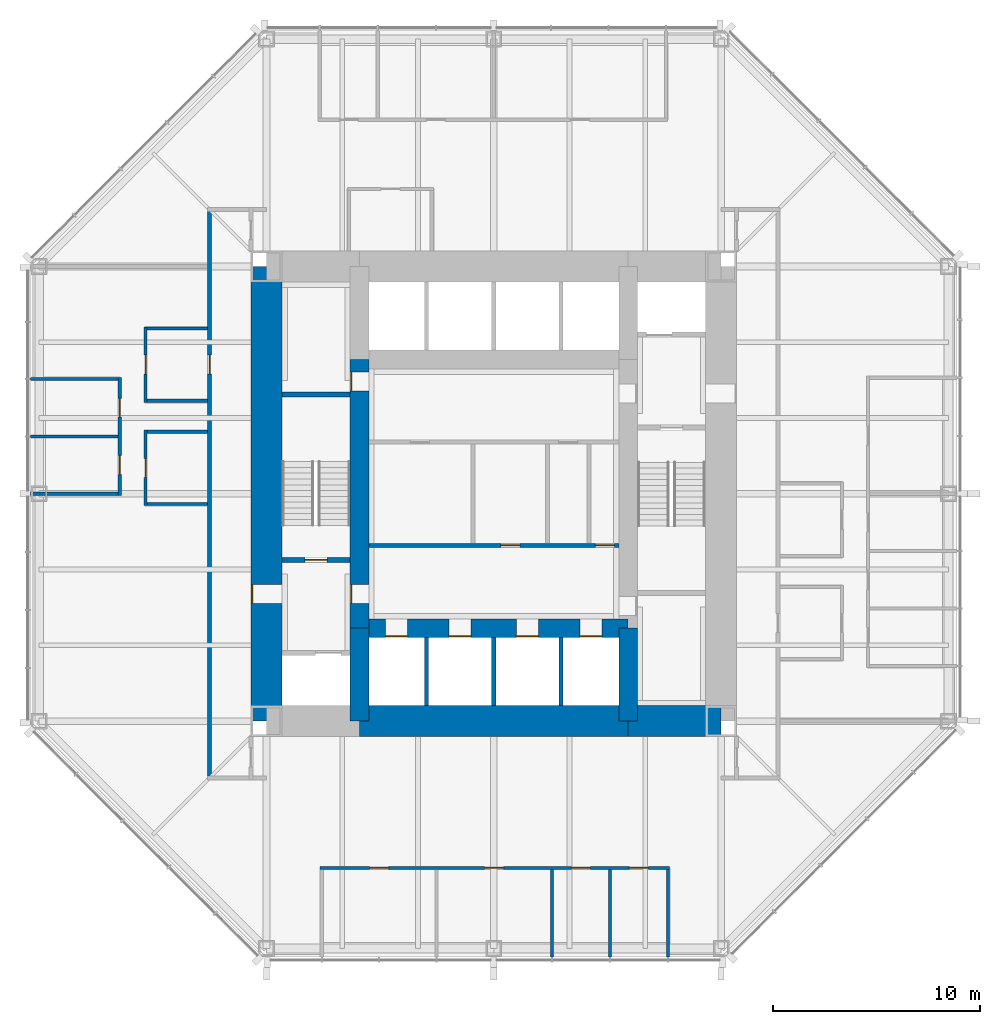
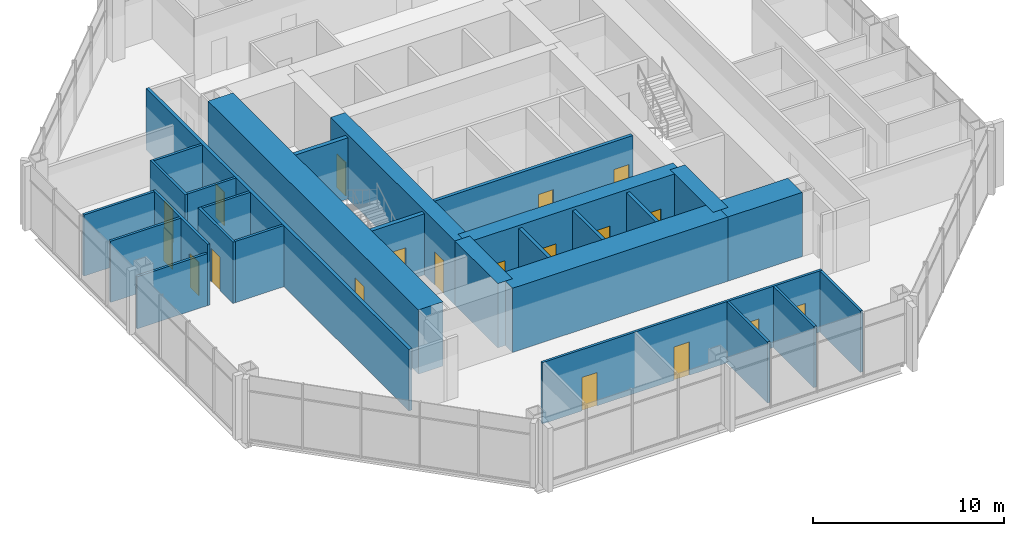
# One storey, part 9 of 12: 28 walls, 19 doors, 19 openings.
"""IFC4 building model written with IfcOpenShell, lengths in metres."""

from ifc_helpers import new_model, si_unit, direction, frame, frame_2d, origin, place, context, subcontext, project, spatial, rectangle, extrude, material, layer, layer_set, type_object, element, fill, save


model = new_model("IFC4")

# Units and contexts
model_context = context("Model", 3, precision=1e-05, world=origin(), true_north=direction((0.0, 1.0)))
body_context = subcontext(model_context, "Body", "Model", "MODEL_VIEW")
ifc_project = project(units=[si_unit("LENGTHUNIT", "METRE"), si_unit("AREAUNIT", "SQUARE_METRE"), si_unit("VOLUMEUNIT", "CUBIC_METRE"), si_unit("PLANEANGLEUNIT", "RADIAN"), si_unit("MASSUNIT", "GRAM", prefix="KILO")], contexts=[model_context])

# Site, building, storey
site_placement = place(None, origin())
site = spatial("IfcSite", under=ifc_project, at=site_placement, CompositionType="ELEMENT")
building_placement = place(site_placement, origin())
building = spatial("IfcBuilding", under=site, at=building_placement, Name="Trevanion Tower", CompositionType="ELEMENT")
storey_placement = place(building_placement, frame((0.0, 0.0, 137.699951171875)))
storey = spatial("IfcBuildingStorey", under=building, at=storey_placement, Name="L32", CompositionType="ELEMENT", Elevation=137.699951171875)

# Wall, opening, door
ifc_material_1 = material(Name="Concrete 10,000 psi", Category="concrete")
ifc_layer_1 = layer(ifc_material_1, 1.5)
ifc_layer_set_1 = layer_set([ifc_layer_1], Name="CW1 core wall 1500")
wall_type_1 = type_object("IfcWallType", Name="CW1 core wall 1500", PredefinedType="SHEAR", material=ifc_layer_set_1)
wall_1_placement = place(storey_placement, frame((-11.0, 11.0, 0.0), z_axis=(0.0, 0.0, 1.0), x_axis=(0.0, -1.0, 0.0)))
wall_1 = element("IfcWall", 1, at=wall_1_placement, inside=storey, type_object=wall_type_1, Name="CW1 CW L32", PredefinedType="SHEAR", context=body_context, shape_type="SweptSolid", body=[
    extrude(rectangle(XDim=22.0, YDim=1.5, at=frame_2d((11.0, 0.0))), origin(), (0.0, 0.0, 1.0), 4.10009765625),
])
opening_1_placement = place(wall_1_placement, frame((15.392578125, 0.0, 0.0)))
opening_1 = element("IfcOpeningElement", 2, at=opening_1_placement, cuts=wall_1, Name="Opening 32-002", PredefinedType="OPENING", context=body_context, shape_type="SweptSolid", body=[
    extrude(rectangle(XDim=0.9150390625, YDim=2.134033203125, at=frame_2d((0.45751953125, 1.06689453125))), frame((0.0, 0.760009765625, 0.0), z_axis=(0.0, -1.0, 0.0), x_axis=(1.0, 0.0, 0.0)), (0.0, 0.0, 1.0), 1.52001953125),
])
ifc_material_2 = material(Name="Hollow metal, fire rated", Category="steel")
door_type_1 = type_object("IfcDoorType", Name="D3 fire lift lobby door", OperationType="SINGLE_SWING_RIGHT", PredefinedType="DOOR", material=ifc_material_2)
door_1_placement = place(opening_1_placement, origin())
door_1 = element("IfcDoor", 3, at=door_1_placement, inside=storey, type_object=door_type_1, Name="Door 32-002", OperationType="SINGLE_SWING_RIGHT", OverallHeight=2.134033203125, OverallWidth=0.9150390625, PredefinedType="DOOR", context=body_context, shape_type="SweptSolid", body=[
    extrude(rectangle(XDim=0.9150390625, YDim=2.134033203125, at=frame_2d((0.45751953125, 1.06689453125))), frame((0.0, -0.6748046875, 0.0), z_axis=(0.0, -1.0, 0.0), x_axis=(1.0, 0.0, 0.0)), (0.0, 0.0, 1.0), 0.050048828125),
])
fill(opening_1, door_1)

# Walls
wall_2_placement = place(storey_placement, frame((-6.5, -11.0, 0.0), z_axis=(0.0, 0.0, 1.0), x_axis=(1.0, 0.0, 0.0)))
element("IfcWall", 4, at=wall_2_placement, inside=storey, type_object=wall_type_1, Name="CW1 CS2 L32", PredefinedType="SHEAR", context=body_context, shape_type="SweptSolid", body=[
    extrude(rectangle(XDim=13.0, YDim=1.5, at=frame_2d((6.5, 0.0))), origin(), (0.0, 0.0, 1.0), 4.10009765625),
])
wall_3_placement = place(storey_placement, frame((6.5, -11.0, 0.0), z_axis=(0.0, 0.0, 1.0), x_axis=(1.0, 0.0, 0.0)))
element("IfcWall", 5, at=wall_3_placement, inside=storey, type_object=wall_type_1, Name="CW1 CS3 L32", PredefinedType="SHEAR", context=body_context, shape_type="SweptSolid", body=[
    extrude(rectangle(XDim=4.5, YDim=1.5, at=frame_2d((2.25, 0.0))), origin(), (0.0, 0.0, 1.0), 4.10009765625),
])
ifc_material_3 = material(Name="Concrete 10,000 psi", Category="concrete")
ifc_layer_2 = layer(ifc_material_3, 0.89990234375)
ifc_layer_set_2 = layer_set([ifc_layer_2], Name="CW2 core wall 900")
wall_type_2 = type_object("IfcWallType", Name="CW2 core wall 900", PredefinedType="SHEAR", material=ifc_layer_set_2)
wall_4_placement = place(storey_placement, frame((6.5, -11.0, 0.0), z_axis=(0.0, 0.0, 1.0), x_axis=(0.0, 1.0, 0.0)))
element("IfcWall", 6, at=wall_4_placement, inside=storey, type_object=wall_type_2, Name="CW2 RE1 L32", PredefinedType="SHEAR", context=body_context, shape_type="SweptSolid", body=[
    extrude(rectangle(XDim=4.5, YDim=0.89990234375, at=frame_2d((2.25, 0.0))), origin(), (0.0, 0.0, 1.0), 4.10009765625),
])

# Wall, openings, doors
wall_5_placement = place(storey_placement, frame((-6.5, 6.5, 0.0), z_axis=(0.0, 0.0, 1.0), x_axis=(0.0, -1.0, 0.0)))
wall_5 = element("IfcWall", 7, at=wall_5_placement, inside=storey, type_object=wall_type_2, Name="CW2 RW2 L32", PredefinedType="SHEAR", context=body_context, shape_type="SweptSolid", body=[
    extrude(rectangle(XDim=13.0, YDim=0.89990234375, at=frame_2d((6.5, 0.0))), origin(), (0.0, 0.0, 1.0), 4.10009765625),
])
opening_2_placement = place(wall_5_placement, frame((10.892578125, 0.0, 0.0)))
opening_2 = element("IfcOpeningElement", 8, at=opening_2_placement, cuts=wall_5, Name="Opening 32-004", PredefinedType="OPENING", context=body_context, shape_type="SweptSolid", body=[
    extrude(rectangle(XDim=0.9150390625, YDim=2.134033203125, at=frame_2d((0.45751953125, 1.06689453125))), frame((0.0, 0.4599609375, 0.0), z_axis=(0.0, -1.0, 0.0), x_axis=(1.0, 0.0, 0.0)), (0.0, 0.0, 1.0), 0.919921875),
])
opening_3_placement = place(wall_5_placement, frame((0.610107421875, 0.0, 0.0)))
opening_3 = element("IfcOpeningElement", 9, at=opening_3_placement, cuts=wall_5, Name="Opening 32-010", PredefinedType="OPENING", context=body_context, shape_type="SweptSolid", body=[
    extrude(rectangle(XDim=0.9150390625, YDim=2.134033203125, at=frame_2d((0.45751953125, 1.06689453125))), frame((0.0, 0.4599609375, 0.0), z_axis=(0.0, -1.0, 0.0), x_axis=(1.0, 0.0, 0.0)), (0.0, 0.0, 1.0), 0.919921875),
])
door_2_placement = place(opening_2_placement, origin())
door_2 = element("IfcDoor", 10, at=door_2_placement, inside=storey, type_object=door_type_1, Name="Door 32-004", OperationType="SINGLE_SWING_RIGHT", OverallHeight=2.134033203125, OverallWidth=0.9150390625, PredefinedType="DOOR", context=body_context, shape_type="SweptSolid", body=[
    extrude(rectangle(XDim=0.9150390625, YDim=2.134033203125, at=frame_2d((0.45751953125, 1.06689453125))), frame((0.0, -0.375, 0.0), z_axis=(0.0, -1.0, 0.0), x_axis=(1.0, 0.0, 0.0)), (0.0, 0.0, 1.0), 0.050048828125),
])
fill(opening_2, door_2)
ifc_material_4 = material(Name="Hollow metal, fire rated", Category="steel")
door_type_2 = type_object("IfcDoorType", Name="D5 service room door", OperationType="SINGLE_SWING_RIGHT", PredefinedType="DOOR", material=ifc_material_4)
door_3_placement = place(opening_3_placement, origin())
door_3 = element("IfcDoor", 11, at=door_3_placement, inside=storey, type_object=door_type_2, Name="Door 32-010", OperationType="SINGLE_SWING_RIGHT", OverallHeight=2.134033203125, OverallWidth=0.9150390625, PredefinedType="DOOR", context=body_context, shape_type="SweptSolid", body=[
    extrude(rectangle(XDim=0.9150390625, YDim=2.134033203125, at=frame_2d((0.45751953125, 1.06689453125))), frame((0.0, -0.375, 0.0), z_axis=(0.0, -1.0, 0.0), x_axis=(1.0, 0.0, 0.0)), (0.0, 0.0, 1.0), 0.050048828125),
])
fill(opening_3, door_3)

# Wall
wall_6_placement = place(storey_placement, frame((-6.5, -6.5, 0.0), z_axis=(0.0, 0.0, 1.0), x_axis=(0.0, -1.0, 0.0)))
element("IfcWall", 12, at=wall_6_placement, inside=storey, type_object=wall_type_2, Name="CW2 RW3 L32", PredefinedType="SHEAR", context=body_context, shape_type="SweptSolid", body=[
    extrude(rectangle(XDim=4.5, YDim=0.89990234375, at=frame_2d((2.25, 0.0))), origin(), (0.0, 0.0, 1.0), 4.10009765625),
])

# Wall, openings, doors
wall_7_placement = place(storey_placement, frame((-6.5, -6.5, 0.0), z_axis=(0.0, 0.0, 1.0), x_axis=(1.0, 0.0, 0.0)))
wall_7 = element("IfcWall", 13, at=wall_7_placement, inside=storey, type_object=wall_type_2, Name="CW2 RS L32", PredefinedType="SHEAR", context=body_context, shape_type="SweptSolid", body=[
    extrude(rectangle(XDim=13.0, YDim=0.89990234375, at=frame_2d((6.5, 0.0))), origin(), (0.0, 0.0, 1.0), 4.10009765625),
])
opening_4_placement = place(wall_7_placement, frame((1.2666015625, 0.0, 0.0)))
opening_4 = element("IfcOpeningElement", 14, at=opening_4_placement, cuts=wall_7, Name="Opening 32-011", PredefinedType="OPENING", context=body_context, shape_type="SweptSolid", body=[
    extrude(rectangle(XDim=1.06689453125, YDim=2.134033203125, at=frame_2d((0.533447265625, 1.06689453125))), frame((0.0, 0.4599609375, 0.0), z_axis=(0.0, -1.0, 0.0), x_axis=(1.0, 0.0, 0.0)), (0.0, 0.0, 1.0), 0.919921875),
])
opening_5_placement = place(wall_7_placement, frame((4.341552734375, 0.0, 0.0)))
opening_5 = element("IfcOpeningElement", 15, at=opening_5_placement, cuts=wall_7, Name="Opening 32-012", PredefinedType="OPENING", context=body_context, shape_type="SweptSolid", body=[
    extrude(rectangle(XDim=1.06689453125, YDim=2.134033203125, at=frame_2d((0.533447265625, 1.06689453125))), frame((0.0, 0.4599609375, 0.0), z_axis=(0.0, -1.0, 0.0), x_axis=(1.0, 0.0, 0.0)), (0.0, 0.0, 1.0), 0.919921875),
])
opening_6_placement = place(wall_7_placement, frame((7.591552734375, 0.0, 0.0)))
opening_6 = element("IfcOpeningElement", 16, at=opening_6_placement, cuts=wall_7, Name="Opening 32-013", PredefinedType="OPENING", context=body_context, shape_type="SweptSolid", body=[
    extrude(rectangle(XDim=1.06689453125, YDim=2.134033203125, at=frame_2d((0.533447265625, 1.06689453125))), frame((0.0, 0.4599609375, 0.0), z_axis=(0.0, -1.0, 0.0), x_axis=(1.0, 0.0, 0.0)), (0.0, 0.0, 1.0), 0.919921875),
])
opening_7_placement = place(wall_7_placement, frame((10.66650390625, 0.0, 0.0)))
opening_7 = element("IfcOpeningElement", 17, at=opening_7_placement, cuts=wall_7, Name="Opening 32-014", PredefinedType="OPENING", context=body_context, shape_type="SweptSolid", body=[
    extrude(rectangle(XDim=1.06689453125, YDim=2.134033203125, at=frame_2d((0.533447265625, 1.06689453125))), frame((0.0, 0.4599609375, 0.0), z_axis=(0.0, -1.0, 0.0), x_axis=(1.0, 0.0, 0.0)), (0.0, 0.0, 1.0), 0.919921875),
])
ifc_material_5 = material(Name="Stainless steel, fire rated", Category="steel")
door_type_3 = type_object("IfcDoorType", Name="LD1 lift landing door", OperationType="SLIDING_TO_LEFT", PredefinedType="DOOR", material=ifc_material_5)
door_4_placement = place(opening_4_placement, origin())
door_4 = element("IfcDoor", 18, at=door_4_placement, inside=storey, type_object=door_type_3, Name="Door 32-011", OperationType="SLIDING_TO_LEFT", OverallHeight=2.134033203125, OverallWidth=1.06689453125, PredefinedType="DOOR", context=body_context, shape_type="SweptSolid", body=[
    extrude(rectangle(XDim=1.06689453125, YDim=2.134033203125, at=frame_2d((0.533447265625, 1.06689453125))), frame((0.0, -0.375, 0.0), z_axis=(0.0, -1.0, 0.0), x_axis=(1.0, 0.0, 0.0)), (0.0, 0.0, 1.0), 0.050048828125),
])
fill(opening_4, door_4)
door_5_placement = place(opening_5_placement, origin())
door_5 = element("IfcDoor", 19, at=door_5_placement, inside=storey, type_object=door_type_3, Name="Door 32-012", OperationType="SLIDING_TO_LEFT", OverallHeight=2.134033203125, OverallWidth=1.06689453125, PredefinedType="DOOR", context=body_context, shape_type="SweptSolid", body=[
    extrude(rectangle(XDim=1.06689453125, YDim=2.134033203125, at=frame_2d((0.533447265625, 1.06689453125))), frame((0.0, -0.375, 0.0), z_axis=(0.0, -1.0, 0.0), x_axis=(1.0, 0.0, 0.0)), (0.0, 0.0, 1.0), 0.050048828125),
])
fill(opening_5, door_5)
door_6_placement = place(opening_6_placement, origin())
door_6 = element("IfcDoor", 20, at=door_6_placement, inside=storey, type_object=door_type_3, Name="Door 32-013", OperationType="SLIDING_TO_LEFT", OverallHeight=2.134033203125, OverallWidth=1.06689453125, PredefinedType="DOOR", context=body_context, shape_type="SweptSolid", body=[
    extrude(rectangle(XDim=1.06689453125, YDim=2.134033203125, at=frame_2d((0.533447265625, 1.06689453125))), frame((0.0, -0.375, 0.0), z_axis=(0.0, -1.0, 0.0), x_axis=(1.0, 0.0, 0.0)), (0.0, 0.0, 1.0), 0.050048828125),
])
fill(opening_6, door_6)
door_7_placement = place(opening_7_placement, origin())
door_7 = element("IfcDoor", 21, at=door_7_placement, inside=storey, type_object=door_type_3, Name="Door 32-014", OperationType="SLIDING_TO_LEFT", OverallHeight=2.134033203125, OverallWidth=1.06689453125, PredefinedType="DOOR", context=body_context, shape_type="SweptSolid", body=[
    extrude(rectangle(XDim=1.06689453125, YDim=2.134033203125, at=frame_2d((0.533447265625, 1.06689453125))), frame((0.0, -0.375, 0.0), z_axis=(0.0, -1.0, 0.0), x_axis=(1.0, 0.0, 0.0)), (0.0, 0.0, 1.0), 0.050048828125),
])
fill(opening_7, door_7)

ifc_material_6 = material(Name="Gypsum board on steel studs", Category="steel")
ifc_layer_3 = layer(ifc_material_6, 0.14990234375)
ifc_layer_set_3 = layer_set([ifc_layer_3], Name="PT1 partition 150")
wall_type_3 = type_object("IfcWallType", Name="PT1 partition 150", PredefinedType="PARTITIONING", material=ifc_layer_set_3)
wall_8_placement = place(storey_placement, frame((-8.39794921875, -18.10009765625, 0.0), z_axis=(0.0, 0.0, 1.0), x_axis=(1.0, 0.0, 0.0)))
wall_8 = element("IfcWall", 22, at=wall_8_placement, inside=storey, type_object=wall_type_3, Name="PT1 L32 FC3F", PredefinedType="PARTITIONING", context=body_context, shape_type="SweptSolid", body=[
    extrude(rectangle(XDim=16.89404296875, YDim=0.14990234375, at=frame_2d((8.447021484375, 0.0))), origin(), (0.0, 0.0, 1.0), 3.91015625),
])
opening_8_placement = place(wall_8_placement, frame((2.3916015625, 0.0, 0.0)))
opening_8 = element("IfcOpeningElement", 23, at=opening_8_placement, cuts=wall_8, Name="Opening 32-026", PredefinedType="OPENING", context=body_context, shape_type="SweptSolid", body=[
    extrude(rectangle(XDim=0.9150390625, YDim=2.134033203125, at=frame_2d((0.45751953125, 1.06689453125))), frame((0.0, 0.0849609375, 0.0), z_axis=(0.0, -1.0, 0.0), x_axis=(1.0, 0.0, 0.0)), (0.0, 0.0, 1.0), 0.169921875),
])
opening_9_placement = place(wall_8_placement, frame((7.95654296875, 0.0, 0.0)))
opening_9 = element("IfcOpeningElement", 24, at=opening_9_placement, cuts=wall_8, Name="Opening 32-027", PredefinedType="OPENING", context=body_context, shape_type="SweptSolid", body=[
    extrude(rectangle(XDim=0.9150390625, YDim=2.134033203125, at=frame_2d((0.45751953125, 1.06689453125))), frame((0.0, 0.0849609375, 0.0), z_axis=(0.0, -1.0, 0.0), x_axis=(1.0, 0.0, 0.0)), (0.0, 0.0, 1.0), 0.169921875),
])
opening_10_placement = place(wall_8_placement, frame((12.15087890625, 0.0, 0.0)))
opening_10 = element("IfcOpeningElement", 25, at=opening_10_placement, cuts=wall_8, Name="Opening 32-028", PredefinedType="OPENING", context=body_context, shape_type="SweptSolid", body=[
    extrude(rectangle(XDim=0.9150390625, YDim=2.134033203125, at=frame_2d((0.45751953125, 1.06689453125))), frame((0.0, 0.0849609375, 0.0), z_axis=(0.0, -1.0, 0.0), x_axis=(1.0, 0.0, 0.0)), (0.0, 0.0, 1.0), 0.169921875),
])
opening_11_placement = place(wall_8_placement, frame((14.9580078125, 0.0, 0.0)))
opening_11 = element("IfcOpeningElement", 26, at=opening_11_placement, cuts=wall_8, Name="Opening 32-029", PredefinedType="OPENING", context=body_context, shape_type="SweptSolid", body=[
    extrude(rectangle(XDim=0.9150390625, YDim=2.134033203125, at=frame_2d((0.45751953125, 1.06689453125))), frame((0.0, 0.0849609375, 0.0), z_axis=(0.0, -1.0, 0.0), x_axis=(1.0, 0.0, 0.0)), (0.0, 0.0, 1.0), 0.169921875),
])
ifc_material_7 = material(Name="Timber veneer, solid core", Category="wood")
door_type_4 = type_object("IfcDoorType", Name="D1 office and meeting room door", OperationType="SINGLE_SWING_LEFT", PredefinedType="DOOR", material=ifc_material_7)
door_8_placement = place(opening_8_placement, origin())
door_8 = element("IfcDoor", 27, at=door_8_placement, inside=storey, type_object=door_type_4, Name="Door 32-026", OperationType="SINGLE_SWING_LEFT", OverallHeight=2.134033203125, OverallWidth=0.9150390625, PredefinedType="DOOR", context=body_context, shape_type="SweptSolid", body=[
    extrude(rectangle(XDim=0.9150390625, YDim=2.134033203125, at=frame_2d((0.45751953125, 1.06689453125))), frame((0.0, 0.02490234375, 0.0), z_axis=(0.0, -1.0, 0.0), x_axis=(1.0, 0.0, 0.0)), (0.0, 0.0, 1.0), 0.050048828125),
])
fill(opening_8, door_8)
door_9_placement = place(opening_9_placement, origin())
door_9 = element("IfcDoor", 28, at=door_9_placement, inside=storey, type_object=door_type_4, Name="Door 32-027", OperationType="SINGLE_SWING_LEFT", OverallHeight=2.134033203125, OverallWidth=0.9150390625, PredefinedType="DOOR", context=body_context, shape_type="SweptSolid", body=[
    extrude(rectangle(XDim=0.9150390625, YDim=2.134033203125, at=frame_2d((0.45751953125, 1.06689453125))), frame((0.0, 0.02490234375, 0.0), z_axis=(0.0, -1.0, 0.0), x_axis=(1.0, 0.0, 0.0)), (0.0, 0.0, 1.0), 0.050048828125),
])
fill(opening_9, door_9)
door_10_placement = place(opening_10_placement, origin())
door_10 = element("IfcDoor", 29, at=door_10_placement, inside=storey, type_object=door_type_4, Name="Door 32-028", OperationType="SINGLE_SWING_LEFT", OverallHeight=2.134033203125, OverallWidth=0.9150390625, PredefinedType="DOOR", context=body_context, shape_type="SweptSolid", body=[
    extrude(rectangle(XDim=0.9150390625, YDim=2.134033203125, at=frame_2d((0.45751953125, 1.06689453125))), frame((0.0, 0.02490234375, 0.0), z_axis=(0.0, -1.0, 0.0), x_axis=(1.0, 0.0, 0.0)), (0.0, 0.0, 1.0), 0.050048828125),
])
fill(opening_10, door_10)
door_11_placement = place(opening_11_placement, origin())
door_11 = element("IfcDoor", 30, at=door_11_placement, inside=storey, type_object=door_type_4, Name="Door 32-029", OperationType="SINGLE_SWING_LEFT", OverallHeight=2.134033203125, OverallWidth=0.9150390625, PredefinedType="DOOR", context=body_context, shape_type="SweptSolid", body=[
    extrude(rectangle(XDim=0.9150390625, YDim=2.134033203125, at=frame_2d((0.45751953125, 1.06689453125))), frame((0.0, 0.02490234375, 0.0), z_axis=(0.0, -1.0, 0.0), x_axis=(1.0, 0.0, 0.0)), (0.0, 0.0, 1.0), 0.050048828125),
])
fill(opening_11, door_11)

# Walls
for number, where, z_axis, x_axis, name in (
    (31, (2.806884765625, -18.175048828125, 0.0), (0.0, 0.0, 1.0), (0.0, -1.0, 0.0), "PT1 L32 FC3S4"),
    (32, (5.614013671875, -18.175048828125, 0.0), (0.0, 0.0, 1.0), (0.0, -1.0, 0.0), "PT1 L32 FC3S5"),
    (33, (8.4208984375, -18.175048828125, 0.0), (0.0, 0.0, 1.0), (0.0, -1.0, 0.0), "PT1 L32 FC3S6"),
):
    element("IfcWall", number, at=place(storey_placement, frame(where, z_axis=z_axis, x_axis=x_axis)), inside=storey, type_object=wall_type_3, Name=name, PredefinedType="PARTITIONING", context=body_context, shape_type="SweptSolid", body=[
        extrude(rectangle(XDim=4.239990234375, YDim=0.14990234375, at=frame_2d((2.1201171875, 0.0))), origin(), (0.0, 0.0, 1.0), 3.91015625),
    ])

# Wall, openings, doors
wall_9_placement = place(storey_placement, frame((-18.10009765625, 5.6240234375, 0.0), z_axis=(0.0, 0.0, 1.0), x_axis=(0.0, -1.0, 0.0)))
wall_9 = element("IfcWall", 34, at=wall_9_placement, inside=storey, type_object=wall_type_3, Name="PT1 L32 FC2F", PredefinedType="PARTITIONING", context=body_context, shape_type="SweptSolid", body=[
    extrude(rectangle(XDim=5.698974609375, YDim=0.14990234375, at=frame_2d((2.849609375, 0.0))), origin(), (0.0, 0.0, 1.0), 3.91015625),
])
opening_12_placement = place(wall_9_placement, frame((1.00439453125, 0.0, 0.0)))
opening_12 = element("IfcOpeningElement", 35, at=opening_12_placement, cuts=wall_9, Name="Opening 32-034", PredefinedType="OPENING", context=body_context, shape_type="SweptSolid", body=[
    extrude(rectangle(XDim=0.9150390625, YDim=2.134033203125, at=frame_2d((0.45751953125, 1.06689453125))), frame((0.0, 0.0849609375, 0.0), z_axis=(0.0, -1.0, 0.0), x_axis=(1.0, 0.0, 0.0)), (0.0, 0.0, 1.0), 0.169921875),
])
opening_13_placement = place(wall_9_placement, frame((3.779052734375, 0.0, 0.0)))
opening_13 = element("IfcOpeningElement", 36, at=opening_13_placement, cuts=wall_9, Name="Opening 32-035", PredefinedType="OPENING", context=body_context, shape_type="SweptSolid", body=[
    extrude(rectangle(XDim=0.9150390625, YDim=2.134033203125, at=frame_2d((0.45751953125, 1.06689453125))), frame((0.0, 0.0849609375, 0.0), z_axis=(0.0, -1.0, 0.0), x_axis=(1.0, 0.0, 0.0)), (0.0, 0.0, 1.0), 0.169921875),
])
door_12_placement = place(opening_12_placement, origin())
door_12 = element("IfcDoor", 37, at=door_12_placement, inside=storey, type_object=door_type_4, Name="Door 32-034", OperationType="SINGLE_SWING_LEFT", OverallHeight=2.134033203125, OverallWidth=0.9150390625, PredefinedType="DOOR", context=body_context, shape_type="SweptSolid", body=[
    extrude(rectangle(XDim=0.9150390625, YDim=2.134033203125, at=frame_2d((0.45751953125, 1.06689453125))), frame((0.0, 0.02490234375, 0.0), z_axis=(0.0, -1.0, 0.0), x_axis=(1.0, 0.0, 0.0)), (0.0, 0.0, 1.0), 0.050048828125),
])
fill(opening_12, door_12)
door_13_placement = place(opening_13_placement, origin())
door_13 = element("IfcDoor", 38, at=door_13_placement, inside=storey, type_object=door_type_4, Name="Door 32-035", OperationType="SINGLE_SWING_LEFT", OverallHeight=2.134033203125, OverallWidth=0.9150390625, PredefinedType="DOOR", context=body_context, shape_type="SweptSolid", body=[
    extrude(rectangle(XDim=0.9150390625, YDim=2.134033203125, at=frame_2d((0.45751953125, 1.06689453125))), frame((0.0, 0.02490234375, 0.0), z_axis=(0.0, -1.0, 0.0), x_axis=(1.0, 0.0, 0.0)), (0.0, 0.0, 1.0), 0.050048828125),
])
fill(opening_13, door_13)

# Walls
for number, where, z_axis, x_axis, name in (
    (39, (-18.175048828125, 5.549072265625, 0.0), (0.0, 0.0, 1.0), (-1.0, 0.0, 0.0), "PT1 L32 FC2S0"),
    (40, (-18.175048828125, 2.77490234375, 0.0), (0.0, 0.0, 1.0), (-1.0, 0.0, 0.0), "PT1 L32 FC2S1"),
):
    element("IfcWall", number, at=place(storey_placement, frame(where, z_axis=z_axis, x_axis=x_axis)), inside=storey, type_object=wall_type_3, Name=name, PredefinedType="PARTITIONING", context=body_context, shape_type="SweptSolid", body=[
        extrude(rectangle(XDim=4.239990234375, YDim=0.14990234375, at=frame_2d((2.1201171875, 0.0))), origin(), (0.0, 0.0, 1.0), 3.91015625),
    ])
wall_10_placement = place(storey_placement, frame((-18.175048828125, 0.0, 0.0), z_axis=(0.0, 0.0, 1.0), x_axis=(-1.0, 0.0, 0.0)))
element("IfcWall", 41, at=wall_10_placement, inside=storey, type_object=wall_type_3, Name="PT1 L32 FC2S2", PredefinedType="PARTITIONING", context=body_context, shape_type="SweptSolid", body=[
    extrude(rectangle(XDim=4.239990234375, YDim=0.14990234375, at=frame_2d((2.1201171875, 0.0))), origin(), (0.0, 0.0, 1.0), 3.325927734375),
])

# Wall, opening, door
wall_11_placement = place(storey_placement, frame((-16.85009765625, 8.074951171875, 0.0), z_axis=(0.0, 0.0, 1.0), x_axis=(0.0, -1.0, 0.0)))
wall_11 = element("IfcWall", 42, at=wall_11_placement, inside=storey, type_object=wall_type_3, Name="PT1 L32 IN20F", PredefinedType="PARTITIONING", context=body_context, shape_type="SweptSolid", body=[
    extrude(rectangle(XDim=3.64990234375, YDim=0.14990234375, at=frame_2d((1.824951171875, 0.0))), origin(), (0.0, 0.0, 1.0), 3.91015625),
])
opening_14_placement = place(wall_11_placement, frame((1.367431640625, 0.0, 0.0)))
opening_14 = element("IfcOpeningElement", 43, at=opening_14_placement, cuts=wall_11, Name="Opening 32-039", PredefinedType="OPENING", context=body_context, shape_type="SweptSolid", body=[
    extrude(rectangle(XDim=0.9150390625, YDim=2.134033203125, at=frame_2d((0.45751953125, 1.06689453125))), frame((0.0, 0.0849609375, 0.0), z_axis=(0.0, -1.0, 0.0), x_axis=(1.0, 0.0, 0.0)), (0.0, 0.0, 1.0), 0.169921875),
])
door_14_placement = place(opening_14_placement, origin())
door_14 = element("IfcDoor", 44, at=door_14_placement, inside=storey, type_object=door_type_4, Name="Door 32-039", OperationType="SINGLE_SWING_LEFT", OverallHeight=2.134033203125, OverallWidth=0.9150390625, PredefinedType="DOOR", context=body_context, shape_type="SweptSolid", body=[
    extrude(rectangle(XDim=0.9150390625, YDim=2.134033203125, at=frame_2d((0.45751953125, 1.06689453125))), frame((0.0, 0.02490234375, 0.0), z_axis=(0.0, -1.0, 0.0), x_axis=(1.0, 0.0, 0.0)), (0.0, 0.0, 1.0), 0.050048828125),
])
fill(opening_14, door_14)

# Walls
for number, where, z_axis, x_axis, name in (
    (45, (-16.77490234375, 8.0, 0.0), (0.0, 0.0, 1.0), (1.0, 0.0, 0.0), "PT1 L32 IN20S0"),
    (46, (-16.77490234375, 4.5, 0.0), (0.0, 0.0, 1.0), (1.0, 0.0, 0.0), "PT1 L32 IN20S1"),
):
    element("IfcWall", number, at=place(storey_placement, frame(where, z_axis=z_axis, x_axis=x_axis)), inside=storey, type_object=wall_type_3, Name=name, PredefinedType="PARTITIONING", context=body_context, shape_type="SweptSolid", body=[
        extrude(rectangle(XDim=2.9248046875, YDim=0.14990234375, at=frame_2d((1.46240234375, 0.0))), origin(), (0.0, 0.0, 1.0), 3.91015625),
    ])

# Wall, opening, door
wall_12_placement = place(storey_placement, frame((-16.85009765625, 3.074951171875, 0.0), z_axis=(0.0, 0.0, 1.0), x_axis=(0.0, -1.0, 0.0)))
wall_12 = element("IfcWall", 47, at=wall_12_placement, inside=storey, type_object=wall_type_3, Name="PT1 L32 IN21F", PredefinedType="PARTITIONING", context=body_context, shape_type="SweptSolid", body=[
    extrude(rectangle(XDim=3.64990234375, YDim=0.14990234375, at=frame_2d((1.824951171875, 0.0))), origin(), (0.0, 0.0, 1.0), 3.91015625),
])
opening_15_placement = place(wall_12_placement, frame((1.367431640625, 0.0, 0.0)))
opening_15 = element("IfcOpeningElement", 48, at=opening_15_placement, cuts=wall_12, Name="Opening 32-041", PredefinedType="OPENING", context=body_context, shape_type="SweptSolid", body=[
    extrude(rectangle(XDim=0.9150390625, YDim=2.134033203125, at=frame_2d((0.45751953125, 1.06689453125))), frame((0.0, 0.0849609375, 0.0), z_axis=(0.0, -1.0, 0.0), x_axis=(1.0, 0.0, 0.0)), (0.0, 0.0, 1.0), 0.169921875),
])
door_15_placement = place(opening_15_placement, origin())
door_15 = element("IfcDoor", 49, at=door_15_placement, inside=storey, type_object=door_type_4, Name="Door 32-041", OperationType="SINGLE_SWING_LEFT", OverallHeight=2.134033203125, OverallWidth=0.9150390625, PredefinedType="DOOR", context=body_context, shape_type="SweptSolid", body=[
    extrude(rectangle(XDim=0.9150390625, YDim=2.134033203125, at=frame_2d((0.45751953125, 1.06689453125))), frame((0.0, 0.02490234375, 0.0), z_axis=(0.0, -1.0, 0.0), x_axis=(1.0, 0.0, 0.0)), (0.0, 0.0, 1.0), 0.050048828125),
])
fill(opening_15, door_15)

# Walls
for number, where, z_axis, x_axis, name in (
    (50, (-16.77490234375, 3.0, 0.0), (0.0, 0.0, 1.0), (1.0, 0.0, 0.0), "PT1 L32 IN21S0"),
    (51, (-16.77490234375, -0.5, 0.0), (0.0, 0.0, 1.0), (1.0, 0.0, 0.0), "PT1 L32 IN21S1"),
):
    element("IfcWall", number, at=place(storey_placement, frame(where, z_axis=z_axis, x_axis=x_axis)), inside=storey, type_object=wall_type_3, Name=name, PredefinedType="PARTITIONING", context=body_context, shape_type="SweptSolid", body=[
        extrude(rectangle(XDim=2.9248046875, YDim=0.14990234375, at=frame_2d((1.46240234375, 0.0))), origin(), (0.0, 0.0, 1.0), 3.91015625),
    ])

# Wall, openings, doors
ifc_material_8 = material(Name="Concrete masonry, grouted", Category="masonry")
ifc_layer_4 = layer(ifc_material_8, 0.199951171875)
ifc_layer_set_4 = layer_set([ifc_layer_4], Name="PT2 partition 200 1 HR")
wall_type_4 = type_object("IfcWallType", Name="PT2 partition 200 1 HR", PredefinedType="PARTITIONING", material=ifc_layer_set_4)
wall_13_placement = place(storey_placement, frame((6.050048828125, -2.5, 0.0), z_axis=(0.0, 0.0, 1.0), x_axis=(-1.0, 0.0, 0.0)))
wall_13 = element("IfcWall", 52, at=wall_13_placement, inside=storey, type_object=wall_type_4, Name="PT2 L32 CP2", PredefinedType="PARTITIONING", context=body_context, shape_type="SweptSolid", body=[
    extrude(rectangle(XDim=12.10009765625, YDim=0.199951171875, at=frame_2d((6.050048828125, 0.0))), origin(), (0.0, 0.0, 1.0), 3.91015625),
])
opening_16_placement = place(wall_13_placement, frame((4.79248046875, 0.0, 0.0)))
opening_16 = element("IfcOpeningElement", 53, at=opening_16_placement, cuts=wall_13, Name="Opening 32-016", PredefinedType="OPENING", context=body_context, shape_type="SweptSolid", body=[
    extrude(rectangle(XDim=0.9150390625, YDim=2.134033203125, at=frame_2d((0.45751953125, 1.06689453125))), frame((0.0, 0.10986328125, 0.0), z_axis=(0.0, -1.0, 0.0), x_axis=(1.0, 0.0, 0.0)), (0.0, 0.0, 1.0), 0.219970703125),
])
opening_17_placement = place(wall_13_placement, frame((0.217529296875, 0.0, 0.0)))
opening_17 = element("IfcOpeningElement", 54, at=opening_17_placement, cuts=wall_13, Name="Opening 32-018", PredefinedType="OPENING", context=body_context, shape_type="SweptSolid", body=[
    extrude(rectangle(XDim=0.9150390625, YDim=2.134033203125, at=frame_2d((0.45751953125, 1.06689453125))), frame((0.0, 0.10986328125, 0.0), z_axis=(0.0, -1.0, 0.0), x_axis=(1.0, 0.0, 0.0)), (0.0, 0.0, 1.0), 0.219970703125),
])
ifc_material_9 = material(Name="Plastic laminate on fire-rated core", Category="wood")
door_type_5 = type_object("IfcDoorType", Name="D12 toilet door in a one hour wall", OperationType="SINGLE_SWING_LEFT", PredefinedType="DOOR", material=ifc_material_9)
door_16_placement = place(opening_16_placement, origin())
door_16 = element("IfcDoor", 55, at=door_16_placement, inside=storey, type_object=door_type_5, Name="Door 32-016", OperationType="SINGLE_SWING_LEFT", OverallHeight=2.134033203125, OverallWidth=0.9150390625, PredefinedType="DOOR", context=body_context, shape_type="SweptSolid", body=[
    extrude(rectangle(XDim=0.9150390625, YDim=2.134033203125, at=frame_2d((0.45751953125, 1.06689453125))), frame((0.0, 0.02490234375, 0.0), z_axis=(0.0, -1.0, 0.0), x_axis=(1.0, 0.0, 0.0)), (0.0, 0.0, 1.0), 0.050048828125),
])
fill(opening_16, door_16)
door_17_placement = place(opening_17_placement, origin())
door_17 = element("IfcDoor", 56, at=door_17_placement, inside=storey, type_object=door_type_5, Name="Door 32-018", OperationType="SINGLE_SWING_LEFT", OverallHeight=2.134033203125, OverallWidth=0.9150390625, PredefinedType="DOOR", context=body_context, shape_type="SweptSolid", body=[
    extrude(rectangle(XDim=0.9150390625, YDim=2.134033203125, at=frame_2d((0.45751953125, 1.06689453125))), frame((0.0, 0.02490234375, 0.0), z_axis=(0.0, -1.0, 0.0), x_axis=(1.0, 0.0, 0.0)), (0.0, 0.0, 1.0), 0.050048828125),
])
fill(opening_17, door_17)

# Wall, opening, door
wall_14_placement = place(storey_placement, frame((-13.75, 13.85009765625, 0.0), z_axis=(0.0, 0.0, 1.0), x_axis=(0.0, -1.0, 0.0)))
wall_14 = element("IfcWall", 57, at=wall_14_placement, inside=storey, type_object=wall_type_4, Name="PT2 L32 OC2", PredefinedType="PARTITIONING", context=body_context, shape_type="SweptSolid", body=[
    extrude(rectangle(XDim=27.5, YDim=0.199951171875, at=frame_2d((13.75, 0.0))), origin(), (0.0, 0.0, 1.0), 3.91015625),
])
opening_18_placement = place(wall_14_placement, frame((7.142578125, 0.0, 0.0)))
opening_18 = element("IfcOpeningElement", 58, at=opening_18_placement, cuts=wall_14, Name="Opening 32-040", PredefinedType="OPENING", context=body_context, shape_type="SweptSolid", body=[
    extrude(rectangle(XDim=0.9150390625, YDim=2.134033203125, at=frame_2d((0.45751953125, 1.06689453125))), frame((0.0, 0.10986328125, 0.0), z_axis=(0.0, -1.0, 0.0), x_axis=(1.0, 0.0, 0.0)), (0.0, 0.0, 1.0), 0.219970703125),
])
ifc_material_10 = material(Name="Timber veneer, fire rated", Category="wood")
door_type_6 = type_object("IfcDoorType", Name="D10 office door in a one hour wall", OperationType="SINGLE_SWING_LEFT", PredefinedType="DOOR", material=ifc_material_10)
door_18_placement = place(opening_18_placement, origin())
door_18 = element("IfcDoor", 59, at=door_18_placement, inside=storey, type_object=door_type_6, Name="Door 32-040", OperationType="SINGLE_SWING_LEFT", OverallHeight=2.134033203125, OverallWidth=0.9150390625, PredefinedType="DOOR", context=body_context, shape_type="SweptSolid", body=[
    extrude(rectangle(XDim=0.9150390625, YDim=2.134033203125, at=frame_2d((0.45751953125, 1.06689453125))), frame((0.0, 0.02490234375, 0.0), z_axis=(0.0, -1.0, 0.0), x_axis=(1.0, 0.0, 0.0)), (0.0, 0.0, 1.0), 0.050048828125),
])
fill(opening_18, door_18)

# Walls
ifc_material_11 = material(Name="Concrete masonry, grouted", Category="masonry")
ifc_layer_5 = layer(ifc_material_11, 0.199951171875)
ifc_layer_set_5 = layer_set([ifc_layer_5], Name="PT2 partition 200 2 HR")
wall_type_5 = type_object("IfcWallType", Name="PT2 partition 200 2 HR", PredefinedType="PARTITIONING", material=ifc_layer_set_5)
for number, where, z_axis, x_axis, name in (
    (60, (-3.25, -10.25, 0.0), (0.0, 0.0, 1.0), (0.0, 1.0, 0.0), "PT2 L32 SS0"),
    (61, (0.0, -10.25, 0.0), (0.0, 0.0, 1.0), (0.0, 1.0, 0.0), "PT2 L32 SS1"),
    (62, (3.25, -10.25, 0.0), (0.0, 0.0, 1.0), (0.0, 1.0, 0.0), "PT2 L32 SS2"),
):
    element("IfcWall", number, at=place(storey_placement, frame(where, z_axis=z_axis, x_axis=x_axis)), inside=storey, type_object=wall_type_5, Name=name, PredefinedType="PARTITIONING", context=body_context, shape_type="SweptSolid", body=[
        extrude(rectangle(XDim=3.300048828125, YDim=0.199951171875, at=frame_2d((1.64990234375, 0.0))), origin(), (0.0, 0.0, 1.0), 3.91015625),
    ])
ifc_material_12 = material(Name="Reinforced masonry, fully grouted", Category="masonry")
ifc_layer_6 = layer(ifc_material_12, 0.25)
ifc_layer_set_6 = layer_set([ifc_layer_6], Name="SW1 stair shaft wall 250")
wall_type_6 = type_object("IfcWallType", Name="SW1 stair shaft wall 250", PredefinedType="SOLIDWALL", material=ifc_layer_set_6)
wall_15_placement = place(storey_placement, frame((-6.949951171875, 4.800048828125, 0.0), z_axis=(0.0, 0.0, 1.0), x_axis=(-1.0, 0.0, 0.0)))
element("IfcWall", 63, at=wall_15_placement, inside=storey, type_object=wall_type_6, Name="SW1 L32 WP1", PredefinedType="SOLIDWALL", context=body_context, shape_type="SweptSolid", body=[
    extrude(rectangle(XDim=3.300048828125, YDim=0.25, at=frame_2d((1.64990234375, 0.0))), origin(), (0.0, 0.0, 1.0), 3.91015625),
])

# Wall, opening, door
wall_16_placement = place(storey_placement, frame((-6.949951171875, -3.199951171875, 0.0), z_axis=(0.0, 0.0, 1.0), x_axis=(-1.0, 0.0, 0.0)))
wall_16 = element("IfcWall", 64, at=wall_16_placement, inside=storey, type_object=wall_type_6, Name="SW1 L32 WP2", PredefinedType="SOLIDWALL", context=body_context, shape_type="SweptSolid", body=[
    extrude(rectangle(XDim=3.300048828125, YDim=0.25, at=frame_2d((1.64990234375, 0.0))), origin(), (0.0, 0.0, 1.0), 3.91015625),
])
opening_19_placement = place(wall_16_placement, frame((1.116455078125, 0.0, 0.0)))
opening_19 = element("IfcOpeningElement", 65, at=opening_19_placement, cuts=wall_16, Name="Opening 32-006", PredefinedType="OPENING", context=body_context, shape_type="SweptSolid", body=[
    extrude(rectangle(XDim=1.06689453125, YDim=2.134033203125, at=frame_2d((0.533447265625, 1.06689453125))), frame((0.0, 0.135009765625, 0.0), z_axis=(0.0, -1.0, 0.0), x_axis=(1.0, 0.0, 0.0)), (0.0, 0.0, 1.0), 0.27001953125),
])
ifc_material_13 = material(Name="Hollow metal, fire rated", Category="steel")
door_type_7 = type_object("IfcDoorType", Name="D2 exit stair door", OperationType="SINGLE_SWING_LEFT", PredefinedType="DOOR", material=ifc_material_13)
door_19_placement = place(opening_19_placement, origin())
door_19 = element("IfcDoor", 66, at=door_19_placement, inside=storey, type_object=door_type_7, Name="Door 32-006", OperationType="SINGLE_SWING_LEFT", OverallHeight=2.134033203125, OverallWidth=1.06689453125, PredefinedType="DOOR", context=body_context, shape_type="SweptSolid", body=[
    extrude(rectangle(XDim=1.06689453125, YDim=2.134033203125, at=frame_2d((0.533447265625, 1.06689453125))), frame((0.0, 0.02490234375, 0.0), z_axis=(0.0, -1.0, 0.0), x_axis=(1.0, 0.0, 0.0)), (0.0, 0.0, 1.0), 0.050048828125),
])
fill(opening_19, door_19)

save(model, "model.ifc")
